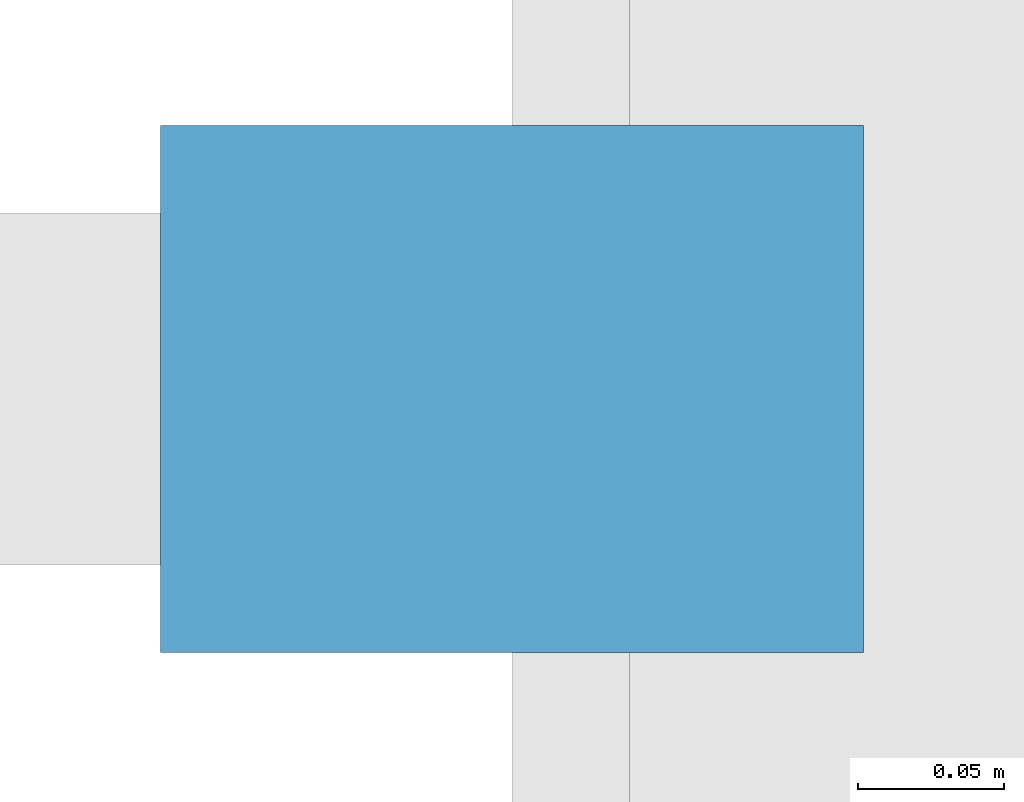
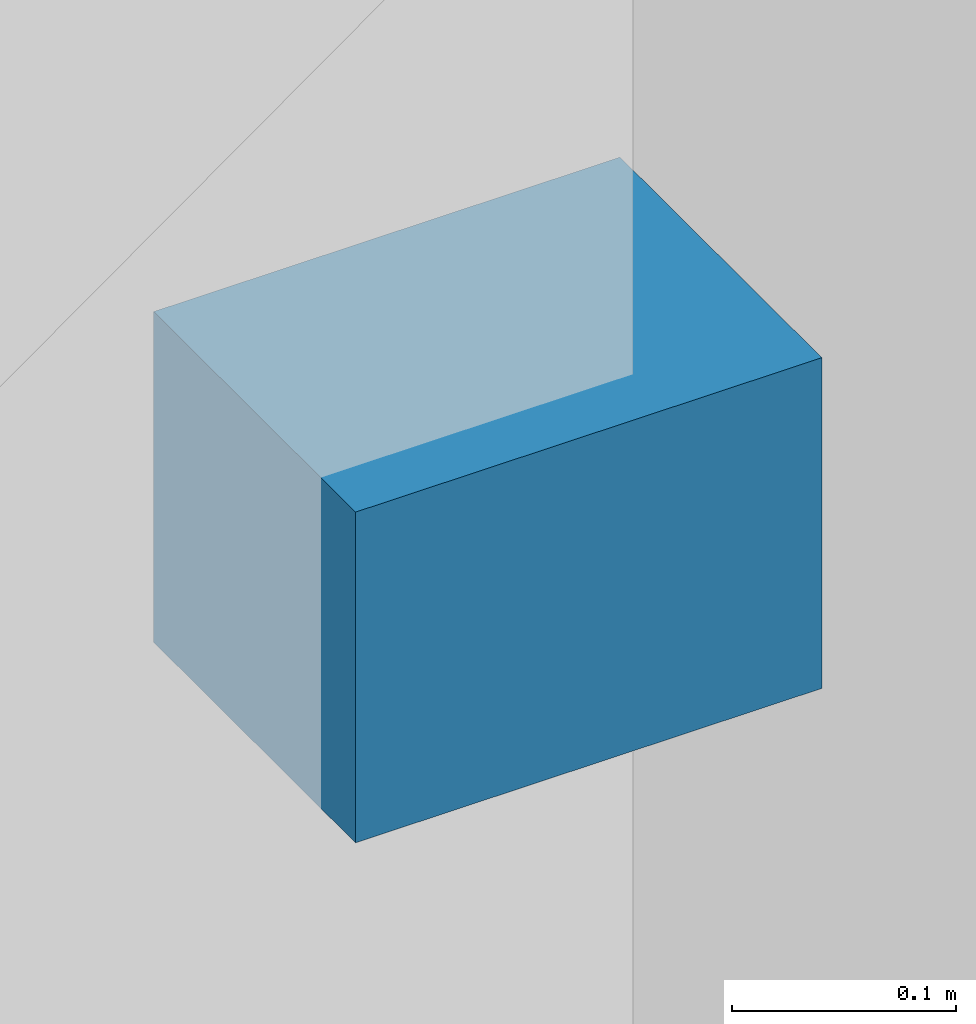
# One storey, part 75 of 99: 1 discrete accessory.
"""IFC4 building model written with IfcOpenShell, lengths in metres."""

from ifc_helpers import new_model, si_unit, direction, frame, origin, origin_2d, place, context, subcontext, project, spatial, rectangle, extrude, material, type_object, element, save


model = new_model("IFC4")

# Units and contexts
model_context = context("Model", 3, precision=1e-05, world=origin(), true_north=direction((0.0, 1.0)))
body_context = subcontext(model_context, "Body", "Model", "MODEL_VIEW")
ifc_project = project(units=[si_unit("LENGTHUNIT", "METRE"), si_unit("AREAUNIT", "SQUARE_METRE"), si_unit("VOLUMEUNIT", "CUBIC_METRE"), si_unit("PLANEANGLEUNIT", "RADIAN"), si_unit("MASSUNIT", "GRAM", prefix="KILO")], contexts=[model_context])

# Site, building, storey
site_placement = place(None, origin())
site = spatial("IfcSite", under=ifc_project, at=site_placement, CompositionType="ELEMENT")
building_placement = place(site_placement, origin())
building = spatial("IfcBuilding", under=site, at=building_placement, Name="Vesperath Aquatics Centre", CompositionType="ELEMENT")
storey_placement = place(building_placement, frame((0.0, 0.0, 5.39990234375)))
storey = spatial("IfcBuildingStorey", under=building, at=storey_placement, Name="L01", CompositionType="ELEMENT", Elevation=5.39990234375)

# Discrete accessory
ifc_material = material(Name="Stainless steel facade anchor bracket", Category="steel")
discrete_accessory_type = type_object("IfcDiscreteAccessoryType", Name="DA-BRK01", PredefinedType="BRACKET", material=ifc_material)
discrete_accessory_placement = place(storey_placement, frame((114.969970703125, 3.60009765625, 1.91015625), z_axis=(0.0, 0.0, 1.0), x_axis=(1.0, 0.0, 0.0)))
element("IfcDiscreteAccessory", 1, at=discrete_accessory_placement, inside=storey, type_object=discrete_accessory_type, Name="Solar Fin Bracket BK01 L01_W_16_00", PredefinedType="BRACKET", context=body_context, shape_type="SweptSolid", body=[
    extrude(rectangle(XDim=0.239990234375, YDim=0.179931640625, at=origin_2d()), origin(), (0.0, 0.0, 1.0), 0.179931640625),
])

save(model, "model.ifc")
